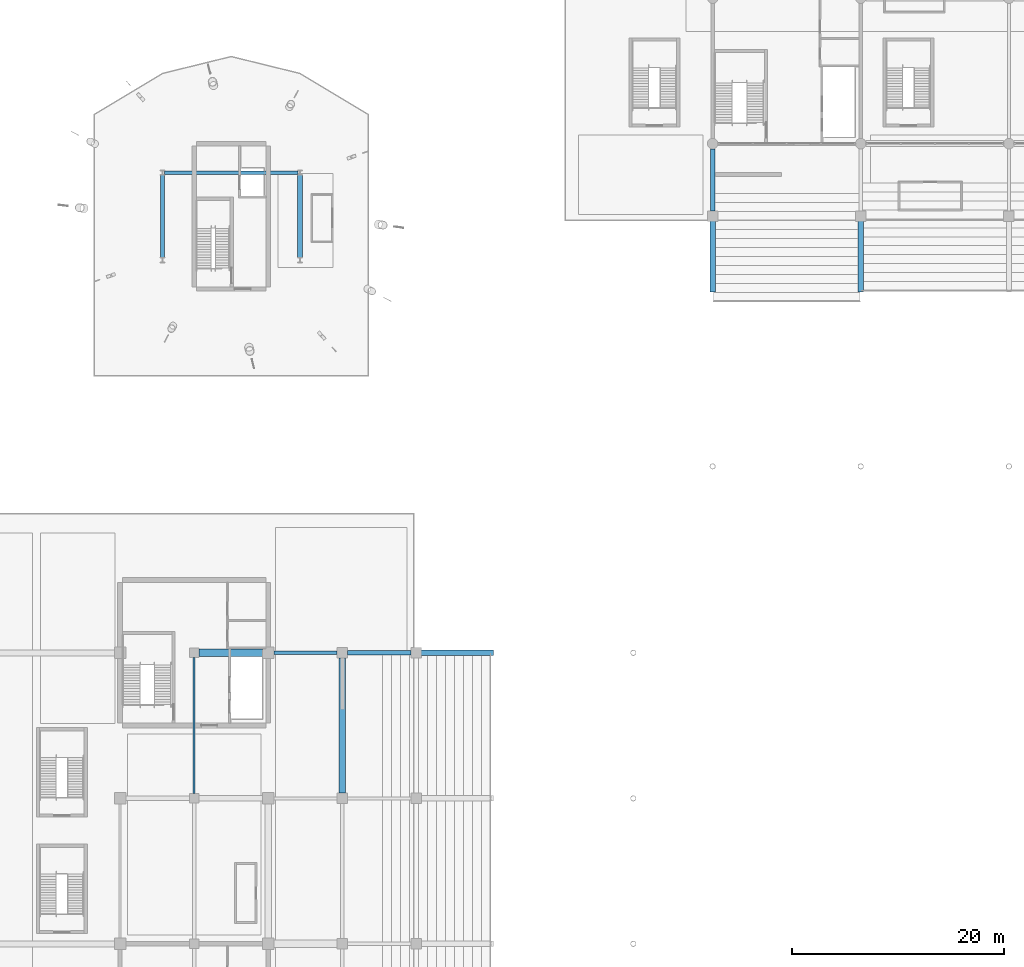
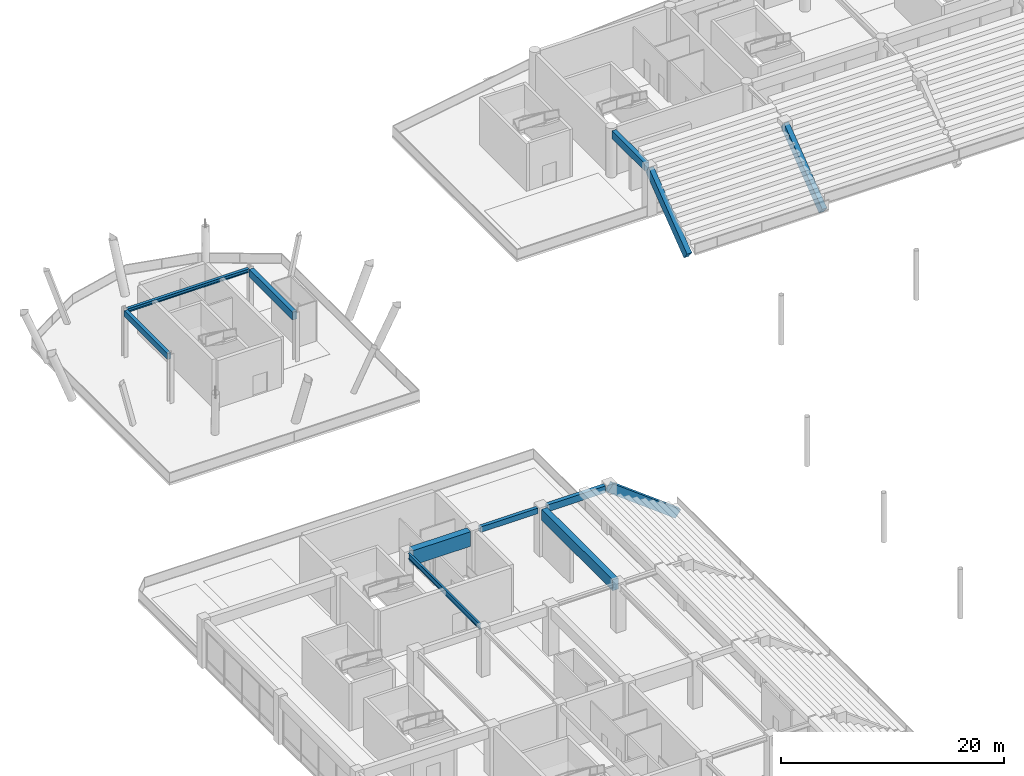
# One storey, part 63 of 117: 12 beams.
"""IFC4 building model written with IfcOpenShell, lengths in metres."""

from ifc_helpers import new_model, si_unit, direction, frame, origin, origin_2d, place, context, subcontext, project, spatial, rectangle, i_section, extrude, material, material_profile, profile_set, type_object, element, save


model = new_model("IFC4")

# Units and contexts
model_context = context("Model", 3, precision=1e-05, world=origin(), true_north=direction((0.0, 1.0)))
body_context = subcontext(model_context, "Body", "Model", "MODEL_VIEW")
ifc_project = project(units=[si_unit("LENGTHUNIT", "METRE"), si_unit("AREAUNIT", "SQUARE_METRE"), si_unit("VOLUMEUNIT", "CUBIC_METRE"), si_unit("PLANEANGLEUNIT", "RADIAN"), si_unit("MASSUNIT", "GRAM", prefix="KILO")], contexts=[model_context])

# Site, building, storey
site_placement = place(None, origin())
site = spatial("IfcSite", under=ifc_project, at=site_placement, CompositionType="ELEMENT")
building_placement = place(site_placement, origin())
building = spatial("IfcBuilding", under=site, at=building_placement, Name="Linyun Crest Stadium", CompositionType="ELEMENT")
storey_placement = place(building_placement, frame((0.0, 0.0, 6.0)))
storey = spatial("IfcBuildingStorey", under=building, at=storey_placement, Name="L02", CompositionType="ELEMENT", Elevation=6.0)

# Beams
ifc_material_1 = material(Name="Concrete C40", Category="concrete")
ifc_material_profile_1 = material_profile(ifc_material_1, rectangle(XDim=0.35009765625, YDim=0.60009765625, at=origin_2d()), Name="RCB 600x350")
ifc_profile_set_1 = profile_set([ifc_material_profile_1], Name="Concrete C40")
beam_type_1 = type_object("IfcBeamType", Name="B01", PredefinedType="BEAM", material=ifc_profile_set_1)
beam_1_placement = place(storey_placement, frame((-69.449951171875, 43.375, 4.89990234375), z_axis=(1.0, 0.0, 0.0), x_axis=(0.0, 1.0, 0.0)))
element("IfcBeam", 1, at=beam_1_placement, inside=storey, type_object=beam_type_1, Name="Frame beam B01 L02 196", PredefinedType="BEAM", context=body_context, shape_type="SweptSolid", body=[
    extrude(rectangle(XDim=0.35009765625, YDim=0.60009765625, at=origin_2d()), origin(), (0.0, 0.0, 1.0), 5.949951171875),
])
ifc_material_2 = material(Name="Concrete C40", Category="concrete")
ifc_material_profile_2 = material_profile(ifc_material_2, rectangle(XDim=0.35009765625, YDim=0.64990234375, at=origin_2d()), Name="RCB 650x350")
ifc_profile_set_2 = profile_set([ifc_material_profile_2], Name="Concrete C40")
beam_type_2 = type_object("IfcBeamType", Name="B02", PredefinedType="BEAM", material=ifc_profile_set_2)
beam_2_placement = place(storey_placement, frame((-80.0, 80.7490234375, 4.85498046875), z_axis=(0.0, 1.0, 0.0), x_axis=(-1.0, 0.0, 0.0)))
element("IfcBeam", 2, at=beam_2_placement, inside=storey, type_object=beam_type_2, Name="Frame beam B02 L02 961", PredefinedType="BEAM", context=body_context, shape_type="SweptSolid", body=[
    extrude(rectangle(XDim=0.35009765625, YDim=0.64990234375, at=origin_2d()), origin(), (0.0, 0.0, 1.0), 7.786865234375),
])
ifc_material_3 = material(Name="Concrete C40", Category="concrete")
ifc_material_profile_3 = material_profile(ifc_material_3, rectangle(XDim=0.39990234375, YDim=0.75, at=origin_2d()), Name="RCB 750x400")
ifc_profile_set_3 = profile_set([ifc_material_profile_3], Name="Concrete C40")
beam_type_3 = type_object("IfcBeamType", Name="B03", PredefinedType="BEAM", material=ifc_profile_set_3)
beam_3_placement = place(storey_placement, frame((-62.5, 43.375, 4.824951171875), z_axis=(1.0, 0.0, 0.0), x_axis=(0.0, 1.0, 0.0)))
element("IfcBeam", 3, at=beam_3_placement, inside=storey, type_object=beam_type_3, Name="Frame beam B03 L02 197", PredefinedType="BEAM", context=body_context, shape_type="SweptSolid", body=[
    extrude(rectangle(XDim=0.39990234375, YDim=0.75, at=origin_2d()), origin(), (0.0, 0.0, 1.0), 6.0),
])
ifc_material_4 = material(Name="Concrete C40", Category="concrete")
ifc_material_profile_4 = material_profile(ifc_material_4, rectangle(XDim=0.449951171875, YDim=0.85009765625, at=origin_2d()), Name="RCB 850x450")
ifc_profile_set_4 = profile_set([ifc_material_profile_4], Name="Concrete C40")
beam_type_4 = type_object("IfcBeamType", Name="B04", PredefinedType="BEAM", material=ifc_profile_set_4)
beam_4_placement = place(storey_placement, frame((-28.0, 85.125, 4.77490234375), z_axis=(0.0, 1.0, 0.0), x_axis=(-1.0, 0.0, 0.0)))
element("IfcBeam", 4, at=beam_4_placement, inside=storey, type_object=beam_type_4, Name="Frame beam B04 L02 794", PredefinedType="BEAM", context=body_context, shape_type="SweptSolid", body=[
    extrude(rectangle(XDim=0.449951171875, YDim=0.85009765625, at=origin_2d()), origin(), (0.0, 0.0, 1.0), 5.875),
])
beam_5_placement = place(storey_placement, frame((-67.0, 80.7490234375, 4.7548828125), z_axis=(0.0, 1.0, 0.0), x_axis=(-1.0, 0.0, 0.0)))
element("IfcBeam", 5, at=beam_5_placement, inside=storey, type_object=beam_type_4, Name="Frame beam B04 L02 962", PredefinedType="BEAM", context=body_context, shape_type="SweptSolid", body=[
    extrude(rectangle(XDim=0.449951171875, YDim=0.85009765625, at=origin_2d()), origin(), (0.0, 0.0, 1.0), 7.786865234375),
])
ifc_material_5 = material(Name="Steel Q355C", Category="steel")
ifc_material_profile_5 = material_profile(ifc_material_5, i_section(OverallWidth=0.300048828125, OverallDepth=0.389892578125, WebThickness=0.010009765625, FlangeThickness=0.01611328125, at=origin_2d()), Name="HM 390x300")
ifc_profile_set_5 = profile_set([ifc_material_profile_5], Name="Steel Q355C")
beam_type_5 = type_object("IfcBeamType", Name="B06", PredefinedType="BEAM", material=ifc_profile_set_5)
beam_6_placement = place(storey_placement, frame((-79.7958984375, 88.75, 4.985107421875), z_axis=(1.0, 0.0, 0.0), x_axis=(0.0, 1.0, 0.0)))
element("IfcBeam", 6, at=beam_6_placement, inside=storey, type_object=beam_type_5, Name="Frame beam B06 L02 959", PredefinedType="BEAM", context=body_context, shape_type="SweptSolid", body=[
    extrude(i_section(OverallWidth=0.300048828125, OverallDepth=0.389892578125, WebThickness=0.010009765625, FlangeThickness=0.01611328125, at=origin_2d()), origin(), (0.0, 0.0, 1.0), 12.591796875),
])
ifc_material_6 = material(Name="Steel Q355C", Category="steel")
ifc_material_profile_6 = material_profile(ifc_material_6, i_section(OverallWidth=0.199951171875, OverallDepth=0.60009765625, WebThickness=0.010986328125, FlangeThickness=0.01708984375, at=origin_2d()), Name="HN 600x200")
ifc_profile_set_6 = profile_set([ifc_material_profile_6], Name="Steel Q355C")
beam_type_6 = type_object("IfcBeamType", Name="B11", PredefinedType="BEAM", material=ifc_profile_set_6)
beam_7_placement = place(storey_placement, frame((-77.0, 30.074951171875, 4.89990234375), z_axis=(0.0, 1.0, 0.0), x_axis=(-1.0, 0.0, 0.0)))
element("IfcBeam", 7, at=beam_7_placement, inside=storey, type_object=beam_type_6, Name="Frame beam B11 L02 215", PredefinedType="BEAM", context=body_context, shape_type="SweptSolid", body=[
    extrude(i_section(OverallWidth=0.199951171875, OverallDepth=0.60009765625, WebThickness=0.010986328125, FlangeThickness=0.01708984375, at=origin_2d()), origin(), (0.0, 0.0, 1.0), 12.85009765625),
])
ifc_material_7 = material(Name="Concrete C50", Category="concrete")
ifc_material_profile_7 = material_profile(ifc_material_7, rectangle(XDim=0.699951171875, YDim=1.60009765625, at=origin_2d()), Name="RCB 1600x700")
ifc_profile_set_7 = profile_set([ifc_material_profile_7], Name="Concrete C50")
beam_type_7 = type_object("IfcBeamType", Name="B13", PredefinedType="BEAM", material=ifc_profile_set_7)
beam_8_placement = place(storey_placement, frame((-76.550048828125, 43.375, 4.39990234375), z_axis=(1.0, 0.0, 0.0), x_axis=(0.0, 1.0, 0.0)))
element("IfcBeam", 8, at=beam_8_placement, inside=storey, type_object=beam_type_7, Name="Frame beam B13 L02 195", PredefinedType="BEAM", context=body_context, shape_type="SweptSolid", body=[
    extrude(rectangle(XDim=0.699951171875, YDim=1.60009765625, at=origin_2d()), origin(), (0.0, 0.0, 1.0), 6.0),
])
ifc_material_8 = material(Name="Precast concrete C50", Category="concrete")
ifc_material_profile_8 = material_profile(ifc_material_8, rectangle(XDim=0.5, YDim=0.949951171875, at=origin_2d()), Name="PCR 950x500")
ifc_profile_set_8 = profile_set([ifc_material_profile_8], Name="Precast concrete C50")
beam_type_8 = type_object("IfcBeamType", Name="RB01", PredefinedType="USERDEFINED", material=ifc_profile_set_8)
beam_9_placement = place(storey_placement, frame((-49.0, 43.375, -0.47998046875), z_axis=(-0.798353067066, 0.0, 0.602189654765), x_axis=(0.0, -1.0, 0.0)))
element("IfcBeam", 9, at=beam_9_placement, inside=storey, type_object=beam_type_8, Name="Precast raker beam RB01 V1 58", ObjectType="RAKER", PredefinedType="USERDEFINED", context=body_context, shape_type="SweptSolid", body=[
    extrude(rectangle(XDim=0.5, YDim=0.949951171875, at=origin_2d()), origin(), (0.0, 0.0, 1.0), 8.76806640625),
])
for number, where, z_axis, x_axis, name in (
    (10, (-28.0, 77.75, -0.47998046875), (0.0, 0.793093848902, 0.609099455618), (-1.0, 0.0, 0.0), "Precast raker beam RB01 V3 66"),
    (11, (-14.0, 77.75, -0.47998046875), (0.0, 0.793093848902, 0.609099455618), (-1.0, 0.0, 0.0), "Precast raker beam RB01 V3 72"),
):
    element("IfcBeam", number, at=place(storey_placement, frame(where, z_axis=z_axis, x_axis=x_axis)), inside=storey, type_object=beam_type_8, Name=name, ObjectType="RAKER", PredefinedType="USERDEFINED", context=body_context, shape_type="SweptSolid", body=[
        extrude(rectangle(XDim=0.5, YDim=0.949951171875, at=origin_2d()), origin(), (0.0, 0.0, 1.0), 8.668701171875),
    ])
ifc_material_9 = material(Name="Concrete C50", Category="concrete")
ifc_material_profile_9 = material_profile(ifc_material_9, rectangle(XDim=0.60009765625, YDim=1.199951171875, at=origin_2d()), Name="RCB 1200x600")
ifc_profile_set_9 = profile_set([ifc_material_profile_9], Name="Concrete C50")
beam_type_9 = type_object("IfcBeamType", Name="TB02", PredefinedType="USERDEFINED", material=ifc_profile_set_9)
beam_10_placement = place(storey_placement, frame((-63.0, 30.125, 4.60009765625), z_axis=(0.0, 1.0, 0.0), x_axis=(-1.0, 0.0, 0.0)))
element("IfcBeam", 12, at=beam_10_placement, inside=storey, type_object=beam_type_9, Name="Frame beam TB02 L02 226", ObjectType="GIRDER", PredefinedType="USERDEFINED", context=body_context, shape_type="SweptSolid", body=[
    extrude(rectangle(XDim=0.60009765625, YDim=1.199951171875, at=origin_2d()), origin(), (0.0, 0.0, 1.0), 12.75),
])

save(model, "model.ifc")
